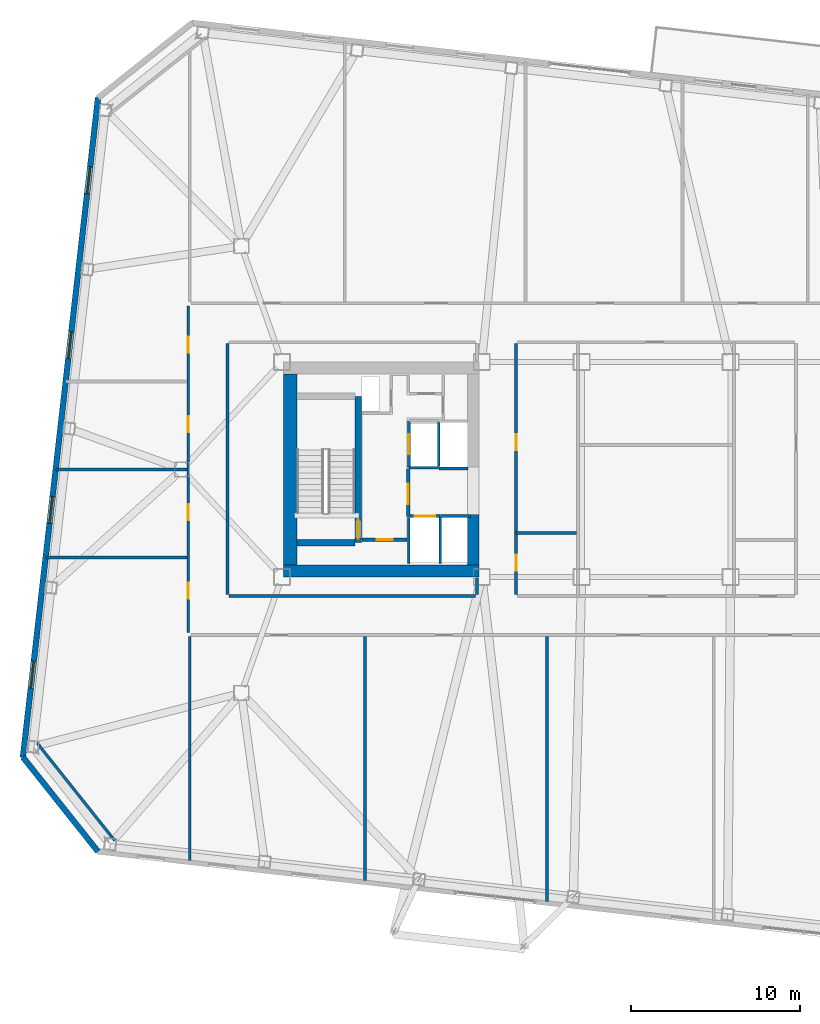
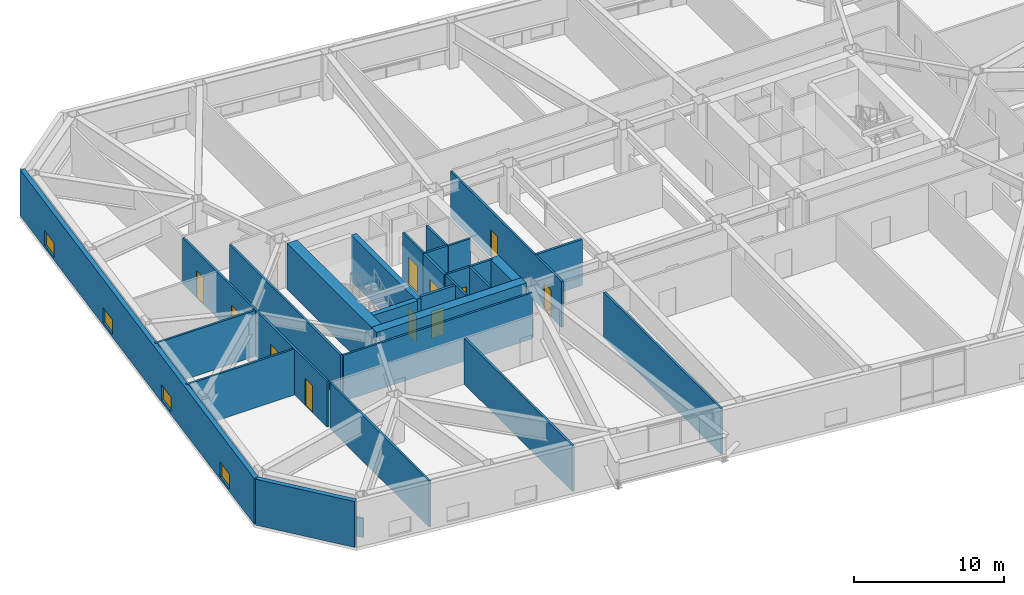
# One storey, part 11 of 21: 29 walls, 11 doors, 4 windows, 15 openings.
"""IFC4 building model written with IfcOpenShell, lengths in metres."""

import ifcopenshell
import ifcopenshell.guid

model = None  # the IFC model being written
_history = None  # IfcOwnerHistory: only IFC2X3 demands one
_inside = {}  # id of a spatial element -> (the spatial element, [elements in it])
_under = {}  # id of a project, library or spatial element -> (it, [spatial elements below it])
_declared = {}  # id of a project -> (the project, [libraries it declares])
_typed = {}  # id of a type object -> (the type object, [elements of that type])
_made_of = {}  # id of a material, layer set ... -> (it, [elements and type objects made of it])


def new_model(schema):
    """Start an empty IFC model of exactly this schema.

    Asked for "IFC4X3", IfcOpenShell would pick the latest addendum, in which some entities
    have other attributes; the version numbers below select the first issue.
    IFC2X3 requires an IfcOwnerHistory on every rooted entity: one is made here for all.
    """
    global model, _history
    if schema == "IFC4X3":
        model = ifcopenshell.file(schema_version=(4, 3, 0, 0))
    else:
        model = ifcopenshell.file(schema=schema)
    _inside.clear()
    _under.clear()
    _declared.clear()
    _typed.clear()
    _made_of.clear()
    _history = None
    if model.schema == "IFC2X3":
        org = make("IfcOrganization", Name="unknown")
        user = make(
            "IfcPersonAndOrganization",
            ThePerson=make("IfcPerson", FamilyName="unknown"),
            TheOrganization=org,
        )
        app = make(
            "IfcApplication",
            ApplicationDeveloper=org,
            Version="unknown",
            ApplicationFullName="unknown",
            ApplicationIdentifier="unknown",
        )
        _history = make(
            "IfcOwnerHistory",
            OwningUser=user,
            OwningApplication=app,
            ChangeAction="ADDED",
            CreationDate=0,
        )
    return model


def make(cls, **values):
    """One entity of the class cls with the attributes given. An attribute that is None is left unset."""
    return model.create_entity(
        cls, **{name: value for name, value in values.items() if value is not None}
    )


def rooted(cls, **values):
    """An entity with a GlobalId (a new one), such as an element, a storey or a relation."""
    return make(cls, GlobalId=ifcopenshell.guid.new(), OwnerHistory=_history, **values)


def si_unit(unit_type, name, prefix=None):
    """IfcSIUnit, for example si_unit("LENGTHUNIT", "METRE", prefix="MILLI")."""
    return make("IfcSIUnit", UnitType=unit_type, Prefix=prefix, Name=name)


def assignment(units):
    """IfcUnitAssignment: the units of a project."""
    return None if units is None else make("IfcUnitAssignment", Units=units)


def point(xyz):
    """IfcCartesianPoint."""
    return None if xyz is None else make("IfcCartesianPoint", Coordinates=xyz)


def direction(xyz):
    """IfcDirection."""
    return None if xyz is None else make("IfcDirection", DirectionRatios=xyz)


def frame(location, z_axis=None, x_axis=None):
    """IfcAxis2Placement3D, a coordinate frame: its origin and axes. An axis left out is left unset."""
    return make(
        "IfcAxis2Placement3D",
        Location=point(location),
        Axis=direction(z_axis),
        RefDirection=direction(x_axis),
    )


def frame_2d(location, x_axis=None):
    """IfcAxis2Placement2D, a coordinate frame in the plane: its origin and x axis."""
    return make(
        "IfcAxis2Placement2D", Location=point(location), RefDirection=direction(x_axis)
    )


def origin():
    """The frame at (0, 0, 0) with its axes left unset."""
    return frame((0.0, 0.0, 0.0))


def place(relative_to, where):
    """IfcLocalPlacement: puts the frame where relative to a parent placement (None: the world)."""
    return make(
        "IfcLocalPlacement", PlacementRelTo=relative_to, RelativePlacement=where
    )


def context(
    kind, dimensions, precision=None, world=None, true_north=None, identifier=None
):
    """IfcGeometricRepresentationContext, for example the 3D "Model" context."""
    return make(
        "IfcGeometricRepresentationContext",
        ContextIdentifier=identifier,
        ContextType=kind,
        CoordinateSpaceDimension=dimensions,
        Precision=precision,
        WorldCoordinateSystem=world,
        TrueNorth=true_north,
    )


def subcontext(parent, identifier, kind, view, scale=None):
    """IfcGeometricRepresentationSubContext, for example "Body" below "Model"."""
    return make(
        "IfcGeometricRepresentationSubContext",
        ContextIdentifier=identifier,
        ContextType=kind,
        ParentContext=parent,
        TargetScale=scale,
        TargetView=view,
    )


def project(units=None, contexts=None):
    """IfcProject with its units and contexts."""
    return rooted(
        "IfcProject",
        Name="project",
        RepresentationContexts=contexts,
        UnitsInContext=assignment(units),
    )


def spatial(cls, under=None, at=None, **own):
    """A site, building, storey or space (cls), placed at a placement, below another one or the project."""
    s = rooted(cls, ObjectPlacement=at, **own)
    if under is not None:
        _under.setdefault(under.id(), (under, []))[1].append(s)
    return s


def profile(cls, at=None, kind="AREA", **sizes):
    """A parametric profile (cls). Its sizes go by their IFC names, for example OverallWidth=200.0."""
    return make(cls, ProfileType=kind, Position=at, **sizes)


def rectangle(**sizes):
    """IfcRectangleProfileDef."""
    return profile("IfcRectangleProfileDef", **sizes)


def extrude(swept, where, along, depth):
    """IfcExtrudedAreaSolid: the profile swept, set in the frame where, extruded along a direction by depth."""
    return make(
        "IfcExtrudedAreaSolid",
        SweptArea=swept,
        Position=where,
        ExtrudedDirection=direction(along),
        Depth=depth,
    )


def shape(context_of_items, identifier, shape_type, items):
    """IfcShapeRepresentation: the items that make up one representation, for example the "Body"."""
    return make(
        "IfcShapeRepresentation",
        ContextOfItems=context_of_items,
        RepresentationIdentifier=identifier,
        RepresentationType=shape_type,
        Items=items,
    )


def material(Name=None, Category=None):
    """IfcMaterial."""
    return make("IfcMaterial", Name=Name, Category=Category)


def layer(
    of_material, thickness, ventilated=None, Name=None, Category=None, Priority=None
):
    """IfcMaterialLayer: one layer of a wall or slab, of a material (None: an air gap)."""
    return make(
        "IfcMaterialLayer",
        Material=of_material,
        LayerThickness=thickness,
        IsVentilated=ventilated,
        Name=Name,
        Category=Category,
        Priority=Priority,
    )


def layer_set(layers, Name=None):
    """IfcMaterialLayerSet."""
    return make("IfcMaterialLayerSet", MaterialLayers=layers, LayerSetName=Name)


def made_of(thing, what):
    """Note that an element or type object is made of a material, layer set ...; save() writes the relation."""
    if what is not None:
        _made_of.setdefault(what.id(), (what, []))[1].append(thing)
    return thing


def type_object(cls, material=None, **own):
    """A type object (cls), such as IfcWallType, which elements share."""
    return made_of(rooted(cls, **own), material)


def element(
    cls,
    number,
    at=None,
    inside=None,
    cuts=None,
    type_object=None,
    material=None,
    context=None,
    identifier="Body",
    shape_type=None,
    held_by="IfcProductDefinitionShape",
    body=None,
    shapes=None,
    **own,
):
    """One element of the class cls, such as IfcWall. Its Tag is "e" and its number.

    at: its placement. inside: the storey or other place that contains it. cuts: it is an
    opening in that element (IfcRelVoidsElement). A single representation is given by context,
    identifier, shape_type and body (its items); several are given by shapes. held_by: the class
    of the entity that holds the representations. save() writes the other relations.
    """
    e = rooted(cls, Tag="e%d" % number, ObjectPlacement=at, **own)
    if body is not None:
        shapes = [shape(context, identifier, shape_type, body)]
    if shapes is not None:
        e.Representation = make(held_by, Representations=shapes)
    if inside is not None:
        _inside.setdefault(inside.id(), (inside, []))[1].append(e)
    if cuts is not None:
        rooted(
            "IfcRelVoidsElement", RelatingBuildingElement=cuts, RelatedOpeningElement=e
        )
    if type_object is not None:
        _typed.setdefault(type_object.id(), (type_object, []))[1].append(e)
    return made_of(e, material)


def fill(opening, filler):
    """IfcRelFillsElement: the door or window that sits in an opening."""
    return rooted(
        "IfcRelFillsElement",
        RelatingOpeningElement=opening,
        RelatedBuildingElement=filler,
    )


def aggregate(whole, parts):
    """IfcRelAggregates: a whole, such as a stair, and the parts it consists of."""
    return rooted("IfcRelAggregates", RelatingObject=whole, RelatedObjects=parts)


def save(model, path):
    """Write the relations noted so far, then the file.

    IfcRelAggregates (storeys below a building ...), IfcRelContainedInSpatialStructure (elements
    in a storey), IfcRelDefinesByType, IfcRelAssociatesMaterial and IfcRelDeclares: one each for
    every whole, place, type object, material and project.
    """
    for whole, parts in _under.values():
        aggregate(whole, parts)
    for where, things in _inside.values():
        rooted(
            "IfcRelContainedInSpatialStructure",
            RelatedElements=things,
            RelatingStructure=where,
        )
    for kind, things in _typed.values():
        rooted("IfcRelDefinesByType", RelatedObjects=things, RelatingType=kind)
    for what, things in _made_of.values():
        rooted("IfcRelAssociatesMaterial", RelatedObjects=things, RelatingMaterial=what)
    for by, libraries in _declared.values():
        rooted("IfcRelDeclares", RelatingContext=by, RelatedDefinitions=libraries)
    model.write(path)


model = new_model("IFC4")

# Units and contexts
model_context = context("Model", 3, precision=1e-05, world=origin(), true_north=direction((0.0, 1.0)))
body_context = subcontext(model_context, "Body", "Model", "MODEL_VIEW")
ifc_project = project(units=[si_unit("LENGTHUNIT", "METRE"), si_unit("AREAUNIT", "SQUARE_METRE"), si_unit("VOLUMEUNIT", "CUBIC_METRE"), si_unit("PLANEANGLEUNIT", "RADIAN"), si_unit("MASSUNIT", "GRAM", prefix="KILO")], contexts=[model_context])

# Site, building, storey
site_placement = place(None, origin())
site = spatial("IfcSite", under=ifc_project, at=site_placement, CompositionType="ELEMENT")
building_placement = place(site_placement, origin())
building = spatial("IfcBuilding", under=site, at=building_placement, Name="Tavrogorsk Clinical Tower", CompositionType="ELEMENT")
storey_placement = place(building_placement, frame((0.0, 0.0, 89.39990234375)))
storey = spatial("IfcBuildingStorey", under=building, at=storey_placement, Name="L19", CompositionType="ELEMENT", Elevation=89.39990234375)

# Wall, opening, door
ifc_material_1 = material(Name="Concrete B60", Category="concrete")
ifc_layer_1 = layer(ifc_material_1, 0.199951171875)
ifc_layer_set_1 = layer_set([ifc_layer_1], Name="Concrete B60")
wall_type_1 = type_object("IfcWallType", Name="CoreFireWall_200", PredefinedType="SOLIDWALL", material=ifc_layer_set_1)
wall_1_placement = place(storey_placement, frame((-17.3798828125, -4.139892578125, 0.0), z_axis=(0.0, 0.0, 1.0), x_axis=(1.0, 0.0, 0.0)))
wall_1 = element("IfcWall", 1, at=wall_1_placement, inside=storey, type_object=wall_type_1, Name="L19 Core West South Core Room Fire Wall", PredefinedType="SOLIDWALL", context=body_context, shape_type="SweptSolid", body=[
    extrude(rectangle(XDim=2.659912109375, YDim=0.199951171875, at=frame_2d((1.330078125, 0.0))), origin(), (0.0, 0.0, 1.0), 3.739990234375),
])
opening_1_placement = place(wall_1_placement, frame((0.8798828125, 0.0, 0.0)))
opening_1 = element("IfcOpeningElement", 2, at=opening_1_placement, cuts=wall_1, Name="Opening ID-02", PredefinedType="OPENING", context=body_context, shape_type="SweptSolid", body=[
    extrude(rectangle(XDim=0.949951171875, YDim=2.199951171875, at=frame_2d((0.47509765625, 1.10009765625))), frame((0.0, 0.10986328125, 0.0), z_axis=(0.0, -1.0, 0.0), x_axis=(1.0, 0.0, 0.0)), (0.0, 0.0, 1.0), 0.219970703125),
])
ifc_material_2 = material(Name="Laminated timber leaf on aluminium frame", Category="wood")
door_type_1 = type_object("IfcDoorType", Name="InteriorDoor_ID02_950", OperationType="NOTDEFINED", PredefinedType="DOOR", material=ifc_material_2)
door_1_placement = place(opening_1_placement, origin())
door_1 = element("IfcDoor", 3, at=door_1_placement, inside=storey, type_object=door_type_1, Name="L19 Core West South Core Room Door", OperationType="SINGLE_SWING_RIGHT", OverallHeight=2.199951171875, OverallWidth=0.949951171875, PredefinedType="DOOR", context=body_context, shape_type="SweptSolid", body=[
    extrude(rectangle(XDim=0.949951171875, YDim=2.199951171875, at=frame_2d((0.47509765625, 1.10009765625))), frame((0.0, 0.02490234375, 0.0), z_axis=(0.0, -1.0, 0.0), x_axis=(1.0, 0.0, 0.0)), (0.0, 0.0, 1.0), 0.050048828125),
])
fill(opening_1, door_1)

wall_2_placement = place(storey_placement, frame((-14.639892578125, -2.780029296875, 0.0), z_axis=(0.0, 0.0, 1.0), x_axis=(0.0, 1.0, 0.0)))
wall_2 = element("IfcWall", 4, at=wall_2_placement, inside=storey, type_object=wall_type_1, Name="L19 Core West Firefighting Lobby Fire Wall", PredefinedType="SOLIDWALL", context=body_context, shape_type="SweptSolid", body=[
    extrude(rectangle(XDim=2.820068359375, YDim=0.199951171875, at=frame_2d((1.41015625, 0.0))), origin(), (0.0, 0.0, 1.0), 3.739990234375),
])
opening_2_placement = place(wall_2_placement, frame((0.72998046875, 0.0, 0.0)))
opening_2 = element("IfcOpeningElement", 5, at=opening_2_placement, cuts=wall_2, Name="Opening FD-01", PredefinedType="OPENING", context=body_context, shape_type="SweptSolid", body=[
    extrude(rectangle(XDim=1.199951171875, YDim=2.199951171875, at=frame_2d((0.60009765625, 1.10009765625))), frame((0.0, 0.10986328125, 0.0), z_axis=(0.0, -1.0, 0.0), x_axis=(1.0, 0.0, 0.0)), (0.0, 0.0, 1.0), 0.219970703125),
])
ifc_material_3 = material(Name="Galvanised steel fire-rated door assembly", Category="steel")
door_type_2 = type_object("IfcDoorType", Name="FireDoor_FD01_1200", OperationType="NOTDEFINED", PredefinedType="DOOR", material=ifc_material_3)
door_2_placement = place(opening_2_placement, origin())
door_2 = element("IfcDoor", 6, at=door_2_placement, inside=storey, type_object=door_type_2, Name="L19 Core West Firefighting Lobby Entry Door", OperationType="SINGLE_SWING_LEFT", OverallHeight=2.199951171875, OverallWidth=1.199951171875, PredefinedType="DOOR", context=body_context, shape_type="SweptSolid", body=[
    extrude(rectangle(XDim=1.199951171875, YDim=2.199951171875, at=frame_2d((0.60009765625, 1.10009765625))), frame((0.0, 0.02490234375, 0.0), z_axis=(0.0, -1.0, 0.0), x_axis=(1.0, 0.0, 0.0)), (0.0, 0.0, 1.0), 0.050048828125),
])
fill(opening_2, door_2)

# Wall
ifc_material_4 = material(Name="Lightweight concrete blockwork B15", Category="masonry")
ifc_layer_2 = layer(ifc_material_4, 0.159912109375)
ifc_layer_set_2 = layer_set([ifc_layer_2], Name="Lightweight concrete blockwork B15")
wall_type_2 = type_object("IfcWallType", Name="PartitionWall_160", PredefinedType="PARTITIONING", material=ifc_layer_set_2)
wall_3_placement = place(storey_placement, frame((-36.555908203125, -16.161865234375, 0.0), z_axis=(0.0, 0.0, 1.0), x_axis=(0.622522641622, -0.782601789334, 0.0)))
element("IfcWall", 7, at=wall_3_placement, inside=storey, type_object=wall_type_2, Name="L19 Corner Exoskeleton Brace Furring Wall 4", PredefinedType="PARTITIONING", context=body_context, shape_type="SweptSolid", body=[
    extrude(rectangle(XDim=7.354248046875, YDim=0.159912109375, at=frame_2d((3.67724609375, 0.0))), origin(), (0.0, 0.0, 1.0), 1.53515625),
])

# Wall, openings, doors
wall_4_placement = place(storey_placement, frame((-27.6298828125, -9.614990234375, 0.0), z_axis=(0.0, 0.0, 1.0), x_axis=(0.0, 1.0, 0.0)))
wall_4 = element("IfcWall", 8, at=wall_4_placement, inside=storey, type_object=wall_type_2, Name="L19 Corridor Partition 01", PredefinedType="PARTITIONING", context=body_context, shape_type="SweptSolid", body=[
    extrude(rectangle(XDim=19.280029296875, YDim=0.159912109375, at=frame_2d((9.64013671875, 0.0))), origin(), (0.0, 0.0, 1.0), 3.739990234375),
])
opening_3_placement = place(wall_4_placement, frame((1.968994140625, 0.0, 0.0)))
opening_3 = element("IfcOpeningElement", 9, at=opening_3_placement, cuts=wall_4, Name="Opening ID-02", PredefinedType="OPENING", context=body_context, shape_type="SweptSolid", body=[
    extrude(rectangle(XDim=0.949951171875, YDim=2.199951171875, at=frame_2d((0.47509765625, 1.10009765625))), frame((0.0, 0.08984375, 0.0), z_axis=(0.0, -1.0, 0.0), x_axis=(1.0, 0.0, 0.0)), (0.0, 0.0, 1.0), 0.179931640625),
])
opening_4_placement = place(wall_4_placement, frame((6.625, 0.0, 0.0)))
opening_4 = element("IfcOpeningElement", 10, at=opening_4_placement, cuts=wall_4, Name="Opening ID-02", PredefinedType="OPENING", context=body_context, shape_type="SweptSolid", body=[
    extrude(rectangle(XDim=0.949951171875, YDim=2.199951171875, at=frame_2d((0.47509765625, 1.10009765625))), frame((0.0, 0.08984375, 0.0), z_axis=(0.0, -1.0, 0.0), x_axis=(1.0, 0.0, 0.0)), (0.0, 0.0, 1.0), 0.179931640625),
])
opening_5_placement = place(wall_4_placement, frame((11.824951171875, 0.0, 0.0)))
opening_5 = element("IfcOpeningElement", 11, at=opening_5_placement, cuts=wall_4, Name="Opening ID-02", PredefinedType="OPENING", context=body_context, shape_type="SweptSolid", body=[
    extrude(rectangle(XDim=0.949951171875, YDim=2.199951171875, at=frame_2d((0.47509765625, 1.10009765625))), frame((0.0, 0.08984375, 0.0), z_axis=(0.0, -1.0, 0.0), x_axis=(1.0, 0.0, 0.0)), (0.0, 0.0, 1.0), 0.179931640625),
])
opening_6_placement = place(wall_4_placement, frame((16.505859375, 0.0, 0.0)))
opening_6 = element("IfcOpeningElement", 12, at=opening_6_placement, cuts=wall_4, Name="Opening ID-02", PredefinedType="OPENING", context=body_context, shape_type="SweptSolid", body=[
    extrude(rectangle(XDim=0.949951171875, YDim=2.199951171875, at=frame_2d((0.47509765625, 1.10009765625))), frame((0.0, 0.08984375, 0.0), z_axis=(0.0, -1.0, 0.0), x_axis=(1.0, 0.0, 0.0)), (0.0, 0.0, 1.0), 0.179931640625),
])
door_3_placement = place(opening_3_placement, origin())
door_3 = element("IfcDoor", 13, at=door_3_placement, inside=storey, type_object=door_type_1, Name="L19 W Solarium Day Room & Lounge 1 Door", OperationType="SINGLE_SWING_RIGHT", OverallHeight=2.199951171875, OverallWidth=0.949951171875, PredefinedType="DOOR", context=body_context, shape_type="SweptSolid", body=[
    extrude(rectangle(XDim=0.949951171875, YDim=2.199951171875, at=frame_2d((0.47509765625, 1.10009765625))), frame((0.0, 0.02490234375, 0.0), z_axis=(0.0, -1.0, 0.0), x_axis=(1.0, 0.0, 0.0)), (0.0, 0.0, 1.0), 0.050048828125),
])
fill(opening_3, door_3)
door_4_placement = place(opening_4_placement, origin())
door_4 = element("IfcDoor", 14, at=door_4_placement, inside=storey, type_object=door_type_1, Name="L19 W Rehabilitation Therapy Suite 2 Door", OperationType="SINGLE_SWING_LEFT", OverallHeight=2.199951171875, OverallWidth=0.949951171875, PredefinedType="DOOR", context=body_context, shape_type="SweptSolid", body=[
    extrude(rectangle(XDim=0.949951171875, YDim=2.199951171875, at=frame_2d((0.47509765625, 1.10009765625))), frame((0.0, 0.02490234375, 0.0), z_axis=(0.0, -1.0, 0.0), x_axis=(1.0, 0.0, 0.0)), (0.0, 0.0, 1.0), 0.050048828125),
])
fill(opening_4, door_4)
door_5_placement = place(opening_5_placement, origin())
door_5 = element("IfcDoor", 15, at=door_5_placement, inside=storey, type_object=door_type_1, Name="L19 W Sub-Acute Observation Suite 3 Door", OperationType="SINGLE_SWING_RIGHT", OverallHeight=2.199951171875, OverallWidth=0.949951171875, PredefinedType="DOOR", context=body_context, shape_type="SweptSolid", body=[
    extrude(rectangle(XDim=0.949951171875, YDim=2.199951171875, at=frame_2d((0.47509765625, 1.10009765625))), frame((0.0, 0.02490234375, 0.0), z_axis=(0.0, -1.0, 0.0), x_axis=(1.0, 0.0, 0.0)), (0.0, 0.0, 1.0), 0.050048828125),
])
fill(opening_5, door_5)
door_6_placement = place(opening_6_placement, origin())
door_6 = element("IfcDoor", 16, at=door_6_placement, inside=storey, type_object=door_type_1, Name="L19 W Family Consultation Lounge 4 Door", OperationType="SINGLE_SWING_LEFT", OverallHeight=2.199951171875, OverallWidth=0.949951171875, PredefinedType="DOOR", context=body_context, shape_type="SweptSolid", body=[
    extrude(rectangle(XDim=0.949951171875, YDim=2.199951171875, at=frame_2d((0.47509765625, 1.10009765625))), frame((0.0, 0.02490234375, 0.0), z_axis=(0.0, -1.0, 0.0), x_axis=(1.0, 0.0, 0.0)), (0.0, 0.0, 1.0), 0.050048828125),
])
fill(opening_6, door_6)

wall_5_placement = place(storey_placement, frame((-8.27001953125, 7.43505859375, 0.0), z_axis=(0.0, 0.0, 1.0), x_axis=(0.0, -1.0, 0.0)))
wall_5 = element("IfcWall", 17, at=wall_5_placement, inside=storey, type_object=wall_type_2, Name="L19 Corridor Partition 12", PredefinedType="PARTITIONING", context=body_context, shape_type="SweptSolid", body=[
    extrude(rectangle(XDim=14.820068359375, YDim=0.159912109375, at=frame_2d((7.41015625, 0.0))), origin(), (0.0, 0.0, 1.0), 3.739990234375),
])
opening_7_placement = place(wall_5_placement, frame((12.4609375, 0.0, 0.0)))
opening_7 = element("IfcOpeningElement", 18, at=opening_7_placement, cuts=wall_5, Name="Opening ID-02", PredefinedType="OPENING", context=body_context, shape_type="SweptSolid", body=[
    extrude(rectangle(XDim=0.949951171875, YDim=2.199951171875, at=frame_2d((0.47509765625, 1.10009765625))), frame((0.0, 0.08984375, 0.0), z_axis=(0.0, -1.0, 0.0), x_axis=(1.0, 0.0, 0.0)), (0.0, 0.0, 1.0), 0.179931640625),
])
opening_8_placement = place(wall_5_placement, frame((5.35400390625, 0.0, 0.0)))
opening_8 = element("IfcOpeningElement", 19, at=opening_8_placement, cuts=wall_5, Name="Opening ID-02", PredefinedType="OPENING", context=body_context, shape_type="SweptSolid", body=[
    extrude(rectangle(XDim=0.949951171875, YDim=2.199951171875, at=frame_2d((0.47509765625, 1.10009765625))), frame((0.0, 0.08984375, 0.0), z_axis=(0.0, -1.0, 0.0), x_axis=(1.0, 0.0, 0.0)), (0.0, 0.0, 1.0), 0.179931640625),
])
door_7_placement = place(opening_7_placement, origin())
door_7 = element("IfcDoor", 20, at=door_7_placement, inside=storey, type_object=door_type_1, Name="L19 Accessible Patient Lavatory Door", OperationType="SINGLE_SWING_RIGHT", OverallHeight=2.199951171875, OverallWidth=0.949951171875, PredefinedType="DOOR", context=body_context, shape_type="SweptSolid", body=[
    extrude(rectangle(XDim=0.949951171875, YDim=2.199951171875, at=frame_2d((0.47509765625, 1.10009765625))), frame((0.0, 0.02490234375, 0.0), z_axis=(0.0, -1.0, 0.0), x_axis=(1.0, 0.0, 0.0)), (0.0, 0.0, 1.0), 0.050048828125),
])
fill(opening_7, door_7)
door_8_placement = place(opening_8_placement, origin())
door_8 = element("IfcDoor", 21, at=door_8_placement, inside=storey, type_object=door_type_1, Name="L19 Ward Nourishment Pantry Door", OperationType="SINGLE_SWING_LEFT", OverallHeight=2.199951171875, OverallWidth=0.949951171875, PredefinedType="DOOR", context=body_context, shape_type="SweptSolid", body=[
    extrude(rectangle(XDim=0.949951171875, YDim=2.199951171875, at=frame_2d((0.47509765625, 1.10009765625))), frame((0.0, 0.02490234375, 0.0), z_axis=(0.0, -1.0, 0.0), x_axis=(1.0, 0.0, 0.0)), (0.0, 0.0, 1.0), 0.050048828125),
])
fill(opening_8, door_8)

# Walls
wall_6_placement = place(storey_placement, frame((-10.580078125, -7.385009765625, 0.0), z_axis=(0.0, 0.0, 1.0), x_axis=(0.0, 1.0, 0.0)))
element("IfcWall", 22, at=wall_6_placement, inside=storey, type_object=wall_type_2, Name="L19 Corridor Partition 14", PredefinedType="PARTITIONING", context=body_context, shape_type="SweptSolid", body=[
    extrude(rectangle(XDim=0.965087890625, YDim=0.159912109375, at=frame_2d((0.482421875, 0.0))), origin(), (0.0, 0.0, 1.0), 1.53515625),
])
wall_7_placement = place(storey_placement, frame((-25.320068359375, 7.43505859375, 0.0), z_axis=(0.0, 0.0, 1.0), x_axis=(0.0, -1.0, 0.0)))
element("IfcWall", 23, at=wall_7_placement, inside=storey, type_object=wall_type_2, Name="L19 Corridor Partition 17", PredefinedType="PARTITIONING", context=body_context, shape_type="SweptSolid", body=[
    extrude(rectangle(XDim=14.820068359375, YDim=0.159912109375, at=frame_2d((7.41015625, 0.0))), origin(), (0.0, 0.0, 1.0), 3.739990234375),
])
wall_8_placement = place(storey_placement, frame((-25.235107421875, -7.469970703125, 0.0), z_axis=(0.0, 0.0, 1.0), x_axis=(1.0, 0.0, 0.0)))
element("IfcWall", 24, at=wall_8_placement, inside=storey, type_object=wall_type_2, Name="L19 Corridor Partition 18", PredefinedType="PARTITIONING", context=body_context, shape_type="SweptSolid", body=[
    extrude(rectangle(XDim=14.570068359375, YDim=0.159912109375, at=frame_2d((7.28515625, 0.0))), origin(), (0.0, 0.0, 1.0), 3.739990234375),
])
wall_9_placement = place(storey_placement, frame((-27.550048828125, -23.1064453125, 0.0), z_axis=(0.0, 0.0, 1.0), x_axis=(0.0, 1.0, 0.0)))
element("IfcWall", 25, at=wall_9_placement, inside=storey, type_object=wall_type_2, Name="L19 SW Wing Closure Partition", PredefinedType="PARTITIONING", context=body_context, shape_type="SweptSolid", body=[
    extrude(rectangle(XDim=13.241455078125, YDim=0.159912109375, at=frame_2d((6.62060546875, 0.0))), origin(), (0.0, 0.0, 1.0), 3.739990234375),
])
wall_10_placement = place(storey_placement, frame((-17.199951171875, -24.285888671875, 0.0), z_axis=(0.0, 0.0, 1.0), x_axis=(0.0, 1.0, 0.0)))
element("IfcWall", 26, at=wall_10_placement, inside=storey, type_object=wall_type_2, Name="L19 South Room Partition 1", PredefinedType="PARTITIONING", context=body_context, shape_type="SweptSolid", body=[
    extrude(rectangle(XDim=14.4208984375, YDim=0.159912109375, at=frame_2d((7.21044921875, 0.0))), origin(), (0.0, 0.0, 1.0), 3.739990234375),
])
wall_11_placement = place(storey_placement, frame((-6.449951171875, -25.510498046875, 0.0), z_axis=(0.0, 0.0, 1.0), x_axis=(0.0, 1.0, 0.0)))
element("IfcWall", 27, at=wall_11_placement, inside=storey, type_object=wall_type_2, Name="L19 South Sub-Partition 2", PredefinedType="PARTITIONING", context=body_context, shape_type="SweptSolid", body=[
    extrude(rectangle(XDim=15.6455078125, YDim=0.159912109375, at=frame_2d((7.82275390625, 0.0))), origin(), (0.0, 0.0, 1.0), 3.739990234375),
])
wall_12_placement = place(storey_placement, frame((-36.0419921875, -5.199951171875, 0.0), z_axis=(0.0, 0.0, 1.0), x_axis=(1.0, 0.0, 0.0)))
element("IfcWall", 28, at=wall_12_placement, inside=storey, type_object=wall_type_2, Name="L19 W Wing Divider 1", PredefinedType="PARTITIONING", context=body_context, shape_type="SweptSolid", body=[
    extrude(rectangle(XDim=8.326904296875, YDim=0.159912109375, at=frame_2d((4.16357421875, 0.0))), origin(), (0.0, 0.0, 1.0), 3.739990234375),
])
wall_13_placement = place(storey_placement, frame((-35.449462890625, 0.0, 0.0), z_axis=(0.0, 0.0, 1.0), x_axis=(1.0, 0.0, 0.0)))
element("IfcWall", 29, at=wall_13_placement, inside=storey, type_object=wall_type_2, Name="L19 W Wing Divider 2", PredefinedType="PARTITIONING", context=body_context, shape_type="SweptSolid", body=[
    extrude(rectangle(XDim=7.734375, YDim=0.159912109375, at=frame_2d((3.8671875, 0.0))), origin(), (0.0, 0.0, 1.0), 3.739990234375),
])
ifc_material_5 = material(Name="Lightweight concrete blockwork B20", Category="masonry")
ifc_layer_3 = layer(ifc_material_5, 0.179931640625)
ifc_layer_set_3 = layer_set([ifc_layer_3], Name="Lightweight concrete blockwork B20")
wall_type_3 = type_object("IfcWallType", Name="PartitionWall_180", PredefinedType="PARTITIONING", material=ifc_layer_set_3)
wall_14_placement = place(storey_placement, frame((-8.264892578125, -3.75, 0.0), z_axis=(0.0, 0.0, 1.0), x_axis=(1.0, 0.0, 0.0)))
element("IfcWall", 30, at=wall_14_placement, inside=storey, type_object=wall_type_3, Name="L19 Central Spine Partition 4", PredefinedType="PARTITIONING", context=body_context, shape_type="SweptSolid", body=[
    extrude(rectangle(XDim=3.56982421875, YDim=0.179931640625, at=frame_2d((1.784912109375, 0.0))), origin(), (0.0, 0.0, 1.0), 3.739990234375),
])

# Wall, openings, windows
ifc_material_6 = material(Name="Precast concrete B45 with limestone cladding", Category="masonry")
ifc_layer_4 = layer(ifc_material_6, 0.340087890625)
ifc_layer_set_4 = layer_set([ifc_layer_4], Name="Precast concrete B45 with limestone cladding")
wall_type_4 = type_object("IfcWallType", Name="PrecastLimestoneWall_340", PredefinedType="STANDARD", material=ifc_layer_set_4)
wall_15_placement = place(storey_placement, frame((-32.968017578125, 21.95654296875, 0.0), z_axis=(0.0, 0.0, 1.0), x_axis=(-0.113201605824, -0.993572038877, 0.0)))
wall_15 = element("IfcWall", 31, at=wall_15_placement, inside=storey, type_object=wall_type_4, Name="L19 W Pleated Limestone Wing Wall", PredefinedType="STANDARD", context=body_context, shape_type="SweptSolid", body=[
    extrude(rectangle(XDim=39.199951171875, YDim=0.340087890625, at=frame_2d((19.60009765625, 0.0))), origin(), (0.0, 0.0, 1.0), 3.739990234375),
])
opening_9_placement = place(wall_15_placement, frame((4.10009765625, 0.0, 0.219970703125)))
opening_9 = element("IfcOpeningElement", 32, at=opening_9_placement, cuts=wall_15, Name="Opening WN-09", PredefinedType="OPENING", context=body_context, shape_type="SweptSolid", body=[
    extrude(rectangle(XDim=1.60009765625, YDim=1.199951171875, at=frame_2d((0.800048828125, 0.60009765625))), frame((0.0, 0.179931640625, 0.0), z_axis=(0.0, -1.0, 0.0), x_axis=(1.0, 0.0, 0.0)), (0.0, 0.0, 1.0), 0.360107421875),
])
opening_10_placement = place(wall_15_placement, frame((13.89990234375, 0.0, 0.219970703125)))
opening_10 = element("IfcOpeningElement", 33, at=opening_10_placement, cuts=wall_15, Name="Opening WN-09", PredefinedType="OPENING", context=body_context, shape_type="SweptSolid", body=[
    extrude(rectangle(XDim=1.60009765625, YDim=1.199951171875, at=frame_2d((0.800048828125, 0.60009765625))), frame((0.0, 0.179931640625, 0.0), z_axis=(0.0, -1.0, 0.0), x_axis=(1.0, 0.0, 0.0)), (0.0, 0.0, 1.0), 0.360107421875),
])
opening_11_placement = place(wall_15_placement, frame((23.699951171875, 0.0, 0.219970703125)))
opening_11 = element("IfcOpeningElement", 34, at=opening_11_placement, cuts=wall_15, Name="Opening WN-09", PredefinedType="OPENING", context=body_context, shape_type="SweptSolid", body=[
    extrude(rectangle(XDim=1.60009765625, YDim=1.199951171875, at=frame_2d((0.800048828125, 0.60009765625))), frame((0.0, 0.179931640625, 0.0), z_axis=(0.0, -1.0, 0.0), x_axis=(1.0, 0.0, 0.0)), (0.0, 0.0, 1.0), 0.360107421875),
])
opening_12_placement = place(wall_15_placement, frame((33.5, 0.0, 0.219970703125)))
opening_12 = element("IfcOpeningElement", 35, at=opening_12_placement, cuts=wall_15, Name="Opening WN-09", PredefinedType="OPENING", context=body_context, shape_type="SweptSolid", body=[
    extrude(rectangle(XDim=1.60009765625, YDim=1.199951171875, at=frame_2d((0.800048828125, 0.60009765625))), frame((0.0, 0.179931640625, 0.0), z_axis=(0.0, -1.0, 0.0), x_axis=(1.0, 0.0, 0.0)), (0.0, 0.0, 1.0), 0.360107421875),
])
ifc_material_7 = material(Name="Thermally broken aluminium frame and triple IGU", Category="aluminium")
window_type = type_object("IfcWindowType", Name="LowHeadTransWin_1600x1200", PartitioningType="DOUBLE_PANEL_VERTICAL", PredefinedType="WINDOW", material=ifc_material_7)
window_1_placement = place(opening_9_placement, origin())
window_1 = element("IfcWindow", 36, at=window_1_placement, inside=storey, type_object=window_type, Name="L19 W Pleat Slot Window 1", OverallHeight=1.199951171875, OverallWidth=1.60009765625, PartitioningType="SINGLE_PANEL", PredefinedType="WINDOW", context=body_context, shape_type="SweptSolid", body=[
    extrude(rectangle(XDim=1.60009765625, YDim=1.199951171875, at=frame_2d((0.800048828125, 0.60009765625))), frame((0.0, 0.030029296875, 0.0), z_axis=(0.0, -1.0, 0.0), x_axis=(1.0, 0.0, 0.0)), (0.0, 0.0, 1.0), 0.06005859375),
])
fill(opening_9, window_1)
window_2_placement = place(opening_10_placement, origin())
window_2 = element("IfcWindow", 37, at=window_2_placement, inside=storey, type_object=window_type, Name="L19 W Pleat Slot Window 2", OverallHeight=1.199951171875, OverallWidth=1.60009765625, PartitioningType="SINGLE_PANEL", PredefinedType="WINDOW", context=body_context, shape_type="SweptSolid", body=[
    extrude(rectangle(XDim=1.60009765625, YDim=1.199951171875, at=frame_2d((0.800048828125, 0.60009765625))), frame((0.0, 0.030029296875, 0.0), z_axis=(0.0, -1.0, 0.0), x_axis=(1.0, 0.0, 0.0)), (0.0, 0.0, 1.0), 0.06005859375),
])
fill(opening_10, window_2)
window_3_placement = place(opening_11_placement, origin())
window_3 = element("IfcWindow", 38, at=window_3_placement, inside=storey, type_object=window_type, Name="L19 W Pleat Slot Window 3", OverallHeight=1.199951171875, OverallWidth=1.60009765625, PartitioningType="SINGLE_PANEL", PredefinedType="WINDOW", context=body_context, shape_type="SweptSolid", body=[
    extrude(rectangle(XDim=1.60009765625, YDim=1.199951171875, at=frame_2d((0.800048828125, 0.60009765625))), frame((0.0, 0.030029296875, 0.0), z_axis=(0.0, -1.0, 0.0), x_axis=(1.0, 0.0, 0.0)), (0.0, 0.0, 1.0), 0.06005859375),
])
fill(opening_11, window_3)
window_4_placement = place(opening_12_placement, origin())
window_4 = element("IfcWindow", 39, at=window_4_placement, inside=storey, type_object=window_type, Name="L19 W Pleat Slot Window 4", OverallHeight=1.199951171875, OverallWidth=1.60009765625, PartitioningType="SINGLE_PANEL", PredefinedType="WINDOW", context=body_context, shape_type="SweptSolid", body=[
    extrude(rectangle(XDim=1.60009765625, YDim=1.199951171875, at=frame_2d((0.800048828125, 0.60009765625))), frame((0.0, 0.030029296875, 0.0), z_axis=(0.0, -1.0, 0.0), x_axis=(1.0, 0.0, 0.0)), (0.0, 0.0, 1.0), 0.06005859375),
])
fill(opening_12, window_4)

# Wall
wall_16_placement = place(storey_placement, frame((-37.405517578125, -16.991455078125, 0.0), z_axis=(0.0, 0.0, 1.0), x_axis=(0.622507800567, -0.78261359446, 0.0)))
element("IfcWall", 40, at=wall_16_placement, inside=storey, type_object=wall_type_4, Name="L19 Chamfered Corner Wall 4", PredefinedType="STANDARD", context=body_context, shape_type="SweptSolid", body=[
    extrude(rectangle(XDim=7.113525390625, YDim=0.340087890625, at=frame_2d((3.556640625, 0.0))), origin(), (0.0, 0.0, 1.0), 3.739990234375),
])

# Wall, opening, door
ifc_material_8 = material(Name="Lightweight concrete blockwork B25", Category="masonry")
ifc_layer_5 = layer(ifc_material_8, 0.159912109375)
ifc_layer_set_5 = layer_set([ifc_layer_5], Name="Lightweight concrete blockwork B25")
wall_type_5 = type_object("IfcWallType", Name="ShaftWall_160", PredefinedType="PARTITIONING", material=ifc_layer_set_5)
wall_17_placement = place(storey_placement, frame((-14.60009765625, 0.1201171875, 0.0), z_axis=(0.0, 0.0, 1.0), x_axis=(0.0, 1.0, 0.0)))
wall_17 = element("IfcWall", 41, at=wall_17_placement, inside=storey, type_object=wall_type_5, Name="L19 FFL-W Firefighting Lift Front Wall", PredefinedType="PARTITIONING", context=body_context, shape_type="SweptSolid", body=[
    extrude(rectangle(XDim=2.739990234375, YDim=0.159912109375, at=frame_2d((1.3701171875, 0.0))), origin(), (0.0, 0.0, 1.0), 3.739990234375),
])
opening_13_placement = place(wall_17_placement, frame((0.77001953125, 0.0, 0.0)))
opening_13 = element("IfcOpeningElement", 42, at=opening_13_placement, cuts=wall_17, Name="Opening LD", PredefinedType="OPENING", context=body_context, shape_type="SweptSolid", body=[
    extrude(rectangle(XDim=1.199951171875, YDim=2.199951171875, at=frame_2d((0.60009765625, 1.10009765625))), frame((0.0, 0.08984375, 0.0), z_axis=(0.0, -1.0, 0.0), x_axis=(1.0, 0.0, 0.0)), (0.0, 0.0, 1.0), 0.179931640625),
])
ifc_material_9 = material(Name="Brushed stainless steel AISI 304 sliding doors", Category="steel")
door_type_3 = type_object("IfcDoorType", Name="LiftLandingDoor_LD_1200", OperationType="SLIDING_TO_LEFT", PredefinedType="DOOR", material=ifc_material_9)
door_9_placement = place(opening_13_placement, origin())
door_9 = element("IfcDoor", 43, at=door_9_placement, inside=storey, type_object=door_type_3, Name="L19 FFL-W Sliding Lift Landing Door", OperationType="SLIDING_TO_LEFT", OverallHeight=2.199951171875, OverallWidth=1.199951171875, PredefinedType="DOOR", context=body_context, shape_type="SweptSolid", body=[
    extrude(rectangle(XDim=1.199951171875, YDim=2.199951171875, at=frame_2d((0.60009765625, 1.10009765625))), frame((0.0, 0.02490234375, 0.0), z_axis=(0.0, -1.0, 0.0), x_axis=(1.0, 0.0, 0.0)), (0.0, 0.0, 1.0), 0.050048828125),
])
fill(opening_13, door_9)

# Walls
wall_18_placement = place(storey_placement, frame((-14.60009765625, 0.10009765625, 0.0), z_axis=(0.0, 0.0, 1.0), x_axis=(1.0, 0.0, 0.0)))
element("IfcWall", 44, at=wall_18_placement, inside=storey, type_object=wall_type_5, Name="L19 FFL-W Shaft South Wall", PredefinedType="PARTITIONING", context=body_context, shape_type="SweptSolid", body=[
    extrude(rectangle(XDim=1.760009765625, YDim=0.159912109375, at=frame_2d((0.8798828125, 0.0))), origin(), (0.0, 0.0, 1.0), 3.739990234375),
])
wall_19_placement = place(storey_placement, frame((-12.840087890625, 0.179931640625, 0.0), z_axis=(0.0, 0.0, 1.0), x_axis=(0.0, 1.0, 0.0)))
element("IfcWall", 45, at=wall_19_placement, inside=storey, type_object=wall_type_5, Name="L19 FFL-W Shaft Back Wall", PredefinedType="PARTITIONING", context=body_context, shape_type="SweptSolid", body=[
    extrude(rectangle(XDim=2.6201171875, YDim=0.159912109375, at=frame_2d((1.31005859375, 0.0))), origin(), (0.0, 0.0, 1.0), 3.739990234375),
])

# Wall, opening, door
wall_20_placement = place(storey_placement, frame((-14.530029296875, -2.75, 0.0), z_axis=(0.0, 0.0, 1.0), x_axis=(1.0, 0.0, 0.0)))
wall_20 = element("IfcWall", 46, at=wall_20_placement, inside=storey, type_object=wall_type_5, Name="L19 LP-L1 Lift Shaft Portal Wall", PredefinedType="PARTITIONING", context=body_context, shape_type="SweptSolid", body=[
    extrude(rectangle(XDim=1.760009765625, YDim=0.159912109375, at=frame_2d((0.8798828125, 0.0))), origin(), (0.0, 0.0, 1.0), 3.739990234375),
])
opening_14_placement = place(wall_20_placement, frame((0.280029296875, 0.0, 0.0)))
opening_14 = element("IfcOpeningElement", 47, at=opening_14_placement, cuts=wall_20, Name="Opening LD", PredefinedType="OPENING", context=body_context, shape_type="SweptSolid", body=[
    extrude(rectangle(XDim=1.199951171875, YDim=2.199951171875, at=frame_2d((0.60009765625, 1.10009765625))), frame((0.0, 0.08984375, 0.0), z_axis=(0.0, -1.0, 0.0), x_axis=(1.0, 0.0, 0.0)), (0.0, 0.0, 1.0), 0.179931640625),
])
door_10_placement = place(opening_14_placement, origin())
door_10 = element("IfcDoor", 48, at=door_10_placement, inside=storey, type_object=door_type_3, Name="L19 LP-L1 Sliding Lift Landing Door", OperationType="SLIDING_TO_LEFT", OverallHeight=2.199951171875, OverallWidth=1.199951171875, PredefinedType="DOOR", context=body_context, shape_type="SweptSolid", body=[
    extrude(rectangle(XDim=1.199951171875, YDim=2.199951171875, at=frame_2d((0.60009765625, 1.10009765625))), frame((0.0, 0.02490234375, 0.0), z_axis=(0.0, -1.0, 0.0), x_axis=(1.0, 0.0, 0.0)), (0.0, 0.0, 1.0), 0.050048828125),
])
fill(opening_14, door_10)

# Walls
for number, where, z_axis, x_axis, name in (
    (49, (-12.75, -5.5400390625, 0.0), (0.0, 0.0, 1.0), (0.0, 1.0, 0.0), "L19 LP-L1 Lift Hoistway Divider Wall"),
    (50, (-14.610107421875, -5.5400390625, 0.0), (0.0, 0.0, 1.0), (0.0, 1.0, 0.0), "L19 LP-L1 Lift Hoistway Outer Cheek Wall"),
):
    element("IfcWall", number, at=place(storey_placement, frame(where, z_axis=z_axis, x_axis=x_axis)), inside=storey, type_object=wall_type_5, Name=name, PredefinedType="PARTITIONING", context=body_context, shape_type="SweptSolid", body=[
        extrude(rectangle(XDim=2.699951171875, YDim=0.159912109375, at=frame_2d((1.35009765625, 0.0))), origin(), (0.0, 0.0, 1.0), 3.739990234375),
    ])
wall_21_placement = place(storey_placement, frame((-12.72998046875, -2.75, 0.0), z_axis=(0.0, 0.0, 1.0), x_axis=(1.0, 0.0, 0.0)))
element("IfcWall", 51, at=wall_21_placement, inside=storey, type_object=wall_type_5, Name="L19 LP-M1 Lift Shaft Portal Wall", PredefinedType="PARTITIONING", context=body_context, shape_type="SweptSolid", body=[
    extrude(rectangle(XDim=1.760009765625, YDim=0.159912109375, at=frame_2d((0.8798828125, 0.0))), origin(), (0.0, 0.0, 1.0), 3.739990234375),
])
wall_22_placement = place(storey_placement, frame((-12.820068359375, 0.06005859375, 0.0), z_axis=(0.0, 0.0, 1.0), x_axis=(1.0, 0.0, 0.0)))
element("IfcWall", 52, at=wall_22_placement, inside=storey, type_object=wall_type_5, Name="L19 LP-H1 High-Zone Lift Portal Wall", PredefinedType="PARTITIONING", context=body_context, shape_type="SweptSolid", body=[
    extrude(rectangle(XDim=1.719970703125, YDim=0.159912109375, at=frame_2d((0.85986328125, 0.0))), origin(), (0.0, 0.0, 1.0), 3.739990234375),
])

# Wall, opening, door
ifc_material_10 = material(Name="Concrete B80", Category="concrete")
ifc_layer_6 = layer(ifc_material_10, 0.39990234375)
ifc_layer_set_6 = layer_set([ifc_layer_6], Name="Concrete B80")
wall_type_6 = type_object("IfcWallType", Name="ShearWall_400", PredefinedType="SHEAR", material=ifc_layer_set_6)
wall_23_placement = place(storey_placement, frame((-17.60009765625, -4.324951171875, 0.0), z_axis=(0.0, 0.0, 1.0), x_axis=(0.0, 1.0, 0.0)))
wall_23 = element("IfcWall", 53, at=wall_23_placement, inside=storey, type_object=wall_type_6, Name="L19 Core West Stair Shaft Inner Shear Wall", PredefinedType="SHEAR", context=body_context, shape_type="SweptSolid", body=[
    extrude(rectangle(XDim=8.64990234375, YDim=0.39990234375, at=frame_2d((4.324951171875, 0.0))), origin(), (0.0, 0.0, 1.0), 3.739990234375),
])
opening_15_placement = place(wall_23_placement, frame((0.25, 0.0, 0.0)))
opening_15 = element("IfcOpeningElement", 54, at=opening_15_placement, cuts=wall_23, Name="Opening SD-01", PredefinedType="OPENING", context=body_context, shape_type="SweptSolid", body=[
    extrude(rectangle(XDim=1.10009765625, YDim=2.199951171875, at=frame_2d((0.550048828125, 1.10009765625))), frame((0.0, 0.2099609375, 0.0), z_axis=(0.0, -1.0, 0.0), x_axis=(1.0, 0.0, 0.0)), (0.0, 0.0, 1.0), 0.419921875),
])
ifc_material_11 = material(Name="Galvanised steel smoke-tight fire door assembly", Category="steel")
door_type_4 = type_object("IfcDoorType", Name="StairFireDoor_SD01_1100", OperationType="NOTDEFINED", PredefinedType="DOOR", material=ifc_material_11)
door_11_placement = place(opening_15_placement, origin())
door_11 = element("IfcDoor", 55, at=door_11_placement, inside=storey, type_object=door_type_4, Name="L19 ST-W Exit Stair Door", OperationType="SINGLE_SWING_RIGHT", OverallHeight=2.199951171875, OverallWidth=1.10009765625, PredefinedType="DOOR", context=body_context, shape_type="SweptSolid", body=[
    extrude(rectangle(XDim=1.10009765625, YDim=2.199951171875, at=frame_2d((0.550048828125, 1.10009765625))), frame((0.0, 0.02490234375, 0.0), z_axis=(0.0, -1.0, 0.0), x_axis=(1.0, 0.0, 0.0)), (0.0, 0.0, 1.0), 0.050048828125),
])
fill(opening_15, door_11)

# Walls
wall_24_placement = place(storey_placement, frame((-21.199951171875, -4.324951171875, 0.0), z_axis=(0.0, 0.0, 1.0), x_axis=(1.0, 0.0, 0.0)))
element("IfcWall", 56, at=wall_24_placement, inside=storey, type_object=wall_type_6, Name="L19 Core West Stair Shaft South Shear Wall", PredefinedType="SHEAR", context=body_context, shape_type="SweptSolid", body=[
    extrude(rectangle(XDim=3.39990234375, YDim=0.39990234375, at=frame_2d((1.699951171875, 0.0))), origin(), (0.0, 0.0, 1.0), 3.739990234375),
])
ifc_material_12 = material(Name="Concrete B80", Category="concrete")
ifc_layer_7 = layer(ifc_material_12, 0.699951171875)
ifc_layer_set_7 = layer_set([ifc_layer_7], Name="Concrete B80")
wall_type_7 = type_object("IfcWallType", Name="ShearWall_700", PredefinedType="SHEAR", material=ifc_layer_set_7)
wall_25_placement = place(storey_placement, frame((-22.0, -6.0, 0.0), z_axis=(0.0, 0.0, 1.0), x_axis=(1.0, 0.0, 0.0)))
element("IfcWall", 57, at=wall_25_placement, inside=storey, type_object=wall_type_7, Name="L19 Core West South Shear Wall", PredefinedType="SHEAR", context=body_context, shape_type="SweptSolid", body=[
    extrude(rectangle(XDim=11.550048828125, YDim=0.699951171875, at=frame_2d((5.77490234375, 0.0))), origin(), (0.0, 0.0, 1.0), 3.739990234375),
])
wall_26_placement = place(storey_placement, frame((-10.800048828125, -5.64990234375, 0.0), z_axis=(0.0, 0.0, 1.0), x_axis=(0.0, 1.0, 0.0)))
element("IfcWall", 58, at=wall_26_placement, inside=storey, type_object=wall_type_7, Name="L19 Core West Inner South Pier", PredefinedType="SHEAR", context=body_context, shape_type="SweptSolid", body=[
    extrude(rectangle(XDim=3.0, YDim=0.699951171875, at=frame_2d((1.5, 0.0))), origin(), (0.0, 0.0, 1.0), 3.739990234375),
])
ifc_material_13 = material(Name="Concrete B80", Category="concrete")
ifc_layer_8 = layer(ifc_material_13, 0.800048828125)
ifc_layer_set_8 = layer_set([ifc_layer_8], Name="Concrete B80")
wall_type_8 = type_object("IfcWallType", Name="ShearWall_800", PredefinedType="SHEAR", material=ifc_layer_set_8)
wall_27_placement = place(storey_placement, frame((-21.60009765625, -5.64990234375, 0.0), z_axis=(0.0, 0.0, 1.0), x_axis=(0.0, 1.0, 0.0)))
element("IfcWall", 59, at=wall_27_placement, inside=storey, type_object=wall_type_8, Name="L19 Core West End Shear Wall", PredefinedType="SHEAR", context=body_context, shape_type="SweptSolid", body=[
    extrude(rectangle(XDim=11.2998046875, YDim=0.800048828125, at=frame_2d((5.64990234375, 0.0))), origin(), (0.0, 0.0, 1.0), 3.739990234375),
])

save(model, "model.ifc")
